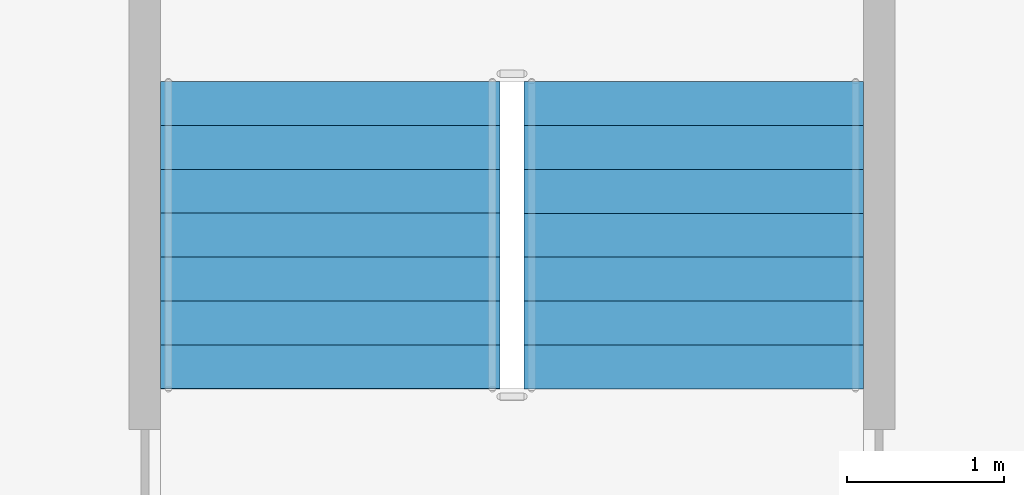
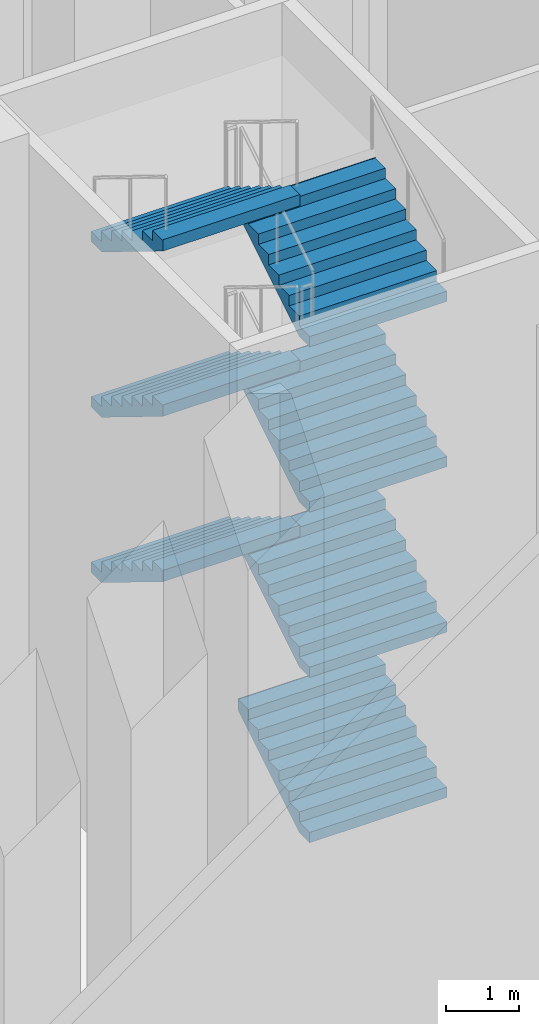
# One storey, part 16 of 31: 7 stair flights, 1 element without a shape of its own.
"""IFC4 building model written with IfcOpenShell, lengths in metres."""

from ifc_helpers import new_model, si_unit, direction, frame, origin, place, context, subcontext, project, spatial, faceted_brep, source, transform, mapped, material, type_object, element, aggregate, save


model = new_model("IFC4")

# Units and contexts
model_context = context("Model", 3, precision=1e-05, world=origin(), true_north=direction((0.0, 1.0)))
body_context = subcontext(model_context, "Body", "Model", "MODEL_VIEW")
ifc_project = project(units=[si_unit("LENGTHUNIT", "METRE"), si_unit("AREAUNIT", "SQUARE_METRE"), si_unit("VOLUMEUNIT", "CUBIC_METRE"), si_unit("PLANEANGLEUNIT", "RADIAN"), si_unit("MASSUNIT", "GRAM", prefix="KILO")], contexts=[model_context])

# Site, building, storey
site_placement = place(None, origin())
site = spatial("IfcSite", under=ifc_project, at=site_placement, CompositionType="ELEMENT")
building_placement = place(site_placement, origin())
building = spatial("IfcBuilding", under=site, at=building_placement, Name="Calabash Gate Tower", CompositionType="ELEMENT")
storey_placement = place(building_placement, frame((0.0, 0.0, 9.0)))
storey = spatial("IfcBuildingStorey", under=building, at=storey_placement, Name="L01", CompositionType="ELEMENT", Elevation=9.0)

# Stair, stair flights
ifc_material_1 = material(Name="Concrete C40/50", Category="concrete")
stair_type = type_object("IfcStairType", Name="Public stair 64 risers of 171.9 mm", PredefinedType="HALF_TURN_STAIR", material=ifc_material_1)
stair_placement = place(storey_placement, origin())
stair = element("IfcStair", 1, at=stair_placement, inside=storey, type_object=stair_type, Name="L01 Public Stair PS5", PredefinedType="HALF_TURN_STAIR")
ifc_material_2 = material(Name="Concrete C40/50", Category="concrete")
stair_flight_type = type_object("IfcStairFlightType", Name="Exit stair flight SFL", PredefinedType="STRAIGHT", material=ifc_material_2)
shared_shape = source(origin(), body_context, "Body", "Brep", [
    faceted_brep([(-0.0009765625, -1.080078125, 0.0), (0.285888671875, -1.080078125, 0.0), (1.9541015625, -1.080078125, 1.027099609375), (-0.0009765625, 1.080078125, 0.0), (1.9541015625, 1.080078125, 1.027099609375), (0.285888671875, 1.080078125, 0.0), (1.9541015625, -1.080078125, 1.215087890625), (1.952880859375, -1.080078125, 1.215087890625), (1.952880859375, 1.080078125, 1.215087890625), (1.9541015625, 1.080078125, 1.215087890625), (1.952880859375, -1.080078125, 1.203125), (1.952880859375, 1.080078125, 1.203125), (1.674072265625, -1.080078125, 1.203125), (1.674072265625, 1.080078125, 1.203125), (1.674072265625, -1.080078125, 1.03125), (1.674072265625, 1.080078125, 1.03125), (1.39501953125, -1.080078125, 1.03125), (1.39501953125, 1.080078125, 1.03125), (1.39501953125, -1.080078125, 0.859375), (1.39501953125, 1.080078125, 0.859375), (1.115966796875, -1.080078125, 0.859375), (1.115966796875, -1.080078125, 0.6875), (1.115966796875, 1.080078125, 0.6875), (1.115966796875, 1.080078125, 0.859375), (0.8369140625, -1.080078125, 0.6875), (0.8369140625, -1.080078125, 0.515625), (0.8369140625, 1.080078125, 0.515625), (0.8369140625, 1.080078125, 0.6875), (0.55810546875, -1.080078125, 0.515625), (0.55810546875, -1.080078125, 0.34375), (0.55810546875, 1.080078125, 0.34375), (0.55810546875, 1.080078125, 0.515625), (0.279052734375, -1.080078125, 0.34375), (0.279052734375, -1.080078125, 0.171875), (0.279052734375, 1.080078125, 0.171875), (0.279052734375, 1.080078125, 0.34375), (-0.0009765625, -1.080078125, 0.171875), (-0.0009765625, 1.080078125, 0.171875), (0.285888671875, -0.431884765625, 0.0), (1.9541015625, -0.431884765625, 1.027099609375), (0.285888671875, -0.370361328125, 0.0), (1.9541015625, -0.370361328125, 1.027099609375), (0.285888671875, -0.30859375, 0.0), (1.9541015625, -0.30859375, 1.027099609375), (0.285888671875, -0.246826171875, 0.0), (1.9541015625, -0.246826171875, 1.027099609375), (0.285888671875, -0.18505859375, 0.0), (1.9541015625, -0.18505859375, 1.027099609375), (0.285888671875, -0.12353515625, 0.0), (1.9541015625, -0.12353515625, 1.027099609375), (0.285888671875, -0.061767578125, 0.0), (1.9541015625, -0.061767578125, 1.027099609375), (0.285888671875, 0.0, 0.0), (1.9541015625, 0.0, 1.027099609375), (0.285888671875, 0.061767578125, 0.0), (1.9541015625, 0.061767578125, 1.027099609375), (0.285888671875, 0.12353515625, 0.0), (1.9541015625, 0.12353515625, 1.027099609375), (0.285888671875, 0.18505859375, 0.0), (1.9541015625, 0.18505859375, 1.027099609375), (0.285888671875, 0.246826171875, 0.0), (1.9541015625, 0.246826171875, 1.027099609375), (0.285888671875, 0.30859375, 0.0), (1.9541015625, 0.30859375, 1.027099609375), (0.285888671875, 0.370361328125, 0.0), (1.9541015625, 0.370361328125, 1.027099609375), (0.285888671875, 0.431884765625, 0.0), (1.9541015625, 0.431884765625, 1.027099609375), (1.9541015625, -0.431884765625, 1.215087890625), (1.9541015625, -0.370361328125, 1.215087890625), (1.9541015625, -0.30859375, 1.215087890625), (1.9541015625, -0.246826171875, 1.215087890625), (1.9541015625, -0.18505859375, 1.215087890625), (1.9541015625, -0.12353515625, 1.215087890625), (1.9541015625, -0.061767578125, 1.215087890625), (1.9541015625, 0.0, 1.215087890625), (1.9541015625, 0.061767578125, 1.215087890625), (1.9541015625, 0.12353515625, 1.215087890625), (1.9541015625, 0.18505859375, 1.215087890625), (1.9541015625, 0.246826171875, 1.215087890625), (1.9541015625, 0.30859375, 1.215087890625), (1.9541015625, 0.370361328125, 1.215087890625), (1.9541015625, 0.431884765625, 1.215087890625), (1.952880859375, -0.431884765625, 1.215087890625), (1.952880859375, -0.370361328125, 1.215087890625), (1.952880859375, -0.30859375, 1.215087890625), (1.952880859375, -0.246826171875, 1.215087890625), (1.952880859375, -0.18505859375, 1.215087890625), (1.952880859375, -0.12353515625, 1.215087890625), (1.952880859375, -0.061767578125, 1.215087890625), (1.952880859375, 0.0, 1.215087890625), (1.952880859375, 0.061767578125, 1.215087890625), (1.952880859375, 0.12353515625, 1.215087890625), (1.952880859375, 0.18505859375, 1.215087890625), (1.952880859375, 0.246826171875, 1.215087890625), (1.952880859375, 0.30859375, 1.215087890625), (1.952880859375, 0.370361328125, 1.215087890625), (1.952880859375, 0.431884765625, 1.215087890625), (1.952880859375, -0.431884765625, 1.203125), (1.952880859375, -0.370361328125, 1.203125), (1.952880859375, -0.30859375, 1.203125), (1.952880859375, -0.246826171875, 1.203125), (1.952880859375, -0.18505859375, 1.203125), (1.952880859375, -0.12353515625, 1.203125), (1.952880859375, -0.061767578125, 1.203125), (1.952880859375, 0.0, 1.203125), (1.952880859375, 0.061767578125, 1.203125), (1.952880859375, 0.12353515625, 1.203125), (1.952880859375, 0.18505859375, 1.203125), (1.952880859375, 0.246826171875, 1.203125), (1.952880859375, 0.30859375, 1.203125), (1.952880859375, 0.370361328125, 1.203125), (1.952880859375, 0.431884765625, 1.203125), (1.674072265625, -0.431884765625, 1.203125), (1.674072265625, -0.370361328125, 1.203125), (1.674072265625, -0.30859375, 1.203125), (1.674072265625, -0.246826171875, 1.203125), (1.674072265625, -0.18505859375, 1.203125), (1.674072265625, -0.12353515625, 1.203125), (1.674072265625, -0.061767578125, 1.203125), (1.674072265625, 0.0, 1.203125), (1.674072265625, 0.061767578125, 1.203125), (1.674072265625, 0.12353515625, 1.203125), (1.674072265625, 0.18505859375, 1.203125), (1.674072265625, 0.246826171875, 1.203125), (1.674072265625, 0.30859375, 1.203125), (1.674072265625, 0.370361328125, 1.203125), (1.674072265625, 0.431884765625, 1.203125), (1.674072265625, -0.431884765625, 1.03125), (1.674072265625, -0.370361328125, 1.03125), (1.674072265625, -0.30859375, 1.03125), (1.674072265625, -0.246826171875, 1.03125), (1.674072265625, -0.18505859375, 1.03125), (1.674072265625, -0.12353515625, 1.03125), (1.674072265625, -0.061767578125, 1.03125), (1.674072265625, 0.0, 1.03125), (1.674072265625, 0.061767578125, 1.03125), (1.674072265625, 0.12353515625, 1.03125), (1.674072265625, 0.18505859375, 1.03125), (1.674072265625, 0.246826171875, 1.03125), (1.674072265625, 0.30859375, 1.03125), (1.674072265625, 0.370361328125, 1.03125), (1.674072265625, 0.431884765625, 1.03125), (1.39501953125, -0.431884765625, 1.03125), (1.39501953125, -0.370361328125, 1.03125), (1.39501953125, -0.30859375, 1.03125), (1.39501953125, -0.246826171875, 1.03125), (1.39501953125, -0.18505859375, 1.03125), (1.39501953125, -0.12353515625, 1.03125), (1.39501953125, -0.061767578125, 1.03125), (1.39501953125, 0.0, 1.03125), (1.39501953125, 0.061767578125, 1.03125), (1.39501953125, 0.12353515625, 1.03125), (1.39501953125, 0.18505859375, 1.03125), (1.39501953125, 0.246826171875, 1.03125), (1.39501953125, 0.30859375, 1.03125), (1.39501953125, 0.370361328125, 1.03125), (1.39501953125, 0.431884765625, 1.03125), (1.39501953125, -0.431884765625, 0.859375), (1.39501953125, -0.370361328125, 0.859375), (1.39501953125, -0.30859375, 0.859375), (1.39501953125, -0.246826171875, 0.859375), (1.39501953125, -0.18505859375, 0.859375), (1.39501953125, -0.12353515625, 0.859375), (1.39501953125, -0.061767578125, 0.859375), (1.39501953125, 0.0, 0.859375), (1.39501953125, 0.061767578125, 0.859375), (1.39501953125, 0.12353515625, 0.859375), (1.39501953125, 0.18505859375, 0.859375), (1.39501953125, 0.246826171875, 0.859375), (1.39501953125, 0.30859375, 0.859375), (1.39501953125, 0.370361328125, 0.859375), (1.39501953125, 0.431884765625, 0.859375), (1.115966796875, -0.431884765625, 0.859375), (1.115966796875, -0.370361328125, 0.859375), (1.115966796875, -0.30859375, 0.859375), (1.115966796875, -0.246826171875, 0.859375), (1.115966796875, -0.18505859375, 0.859375), (1.115966796875, -0.12353515625, 0.859375), (1.115966796875, -0.061767578125, 0.859375), (1.115966796875, 0.0, 0.859375), (1.115966796875, 0.061767578125, 0.859375), (1.115966796875, 0.12353515625, 0.859375), (1.115966796875, 0.18505859375, 0.859375), (1.115966796875, 0.246826171875, 0.859375), (1.115966796875, 0.30859375, 0.859375), (1.115966796875, 0.370361328125, 0.859375), (1.115966796875, 0.431884765625, 0.859375), (1.115966796875, -0.431884765625, 0.6875), (1.115966796875, -0.370361328125, 0.6875), (1.115966796875, -0.30859375, 0.6875), (1.115966796875, -0.246826171875, 0.6875), (1.115966796875, -0.18505859375, 0.6875), (1.115966796875, -0.12353515625, 0.6875), (1.115966796875, -0.061767578125, 0.6875), (1.115966796875, 0.0, 0.6875), (1.115966796875, 0.061767578125, 0.6875), (1.115966796875, 0.12353515625, 0.6875), (1.115966796875, 0.18505859375, 0.6875), (1.115966796875, 0.246826171875, 0.6875), (1.115966796875, 0.30859375, 0.6875), (1.115966796875, 0.370361328125, 0.6875), (1.115966796875, 0.431884765625, 0.6875), (0.8369140625, -0.431884765625, 0.6875), (0.8369140625, -0.370361328125, 0.6875), (0.8369140625, -0.30859375, 0.6875), (0.8369140625, -0.246826171875, 0.6875), (0.8369140625, -0.18505859375, 0.6875), (0.8369140625, -0.12353515625, 0.6875), (0.8369140625, -0.061767578125, 0.6875), (0.8369140625, 0.0, 0.6875), (0.8369140625, 0.061767578125, 0.6875), (0.8369140625, 0.12353515625, 0.6875), (0.8369140625, 0.18505859375, 0.6875), (0.8369140625, 0.246826171875, 0.6875), (0.8369140625, 0.30859375, 0.6875), (0.8369140625, 0.370361328125, 0.6875), (0.8369140625, 0.431884765625, 0.6875), (0.8369140625, -0.431884765625, 0.515625), (0.8369140625, -0.370361328125, 0.515625), (0.8369140625, -0.30859375, 0.515625), (0.8369140625, -0.246826171875, 0.515625), (0.8369140625, -0.18505859375, 0.515625), (0.8369140625, -0.12353515625, 0.515625), (0.8369140625, -0.061767578125, 0.515625), (0.8369140625, 0.0, 0.515625), (0.8369140625, 0.061767578125, 0.515625), (0.8369140625, 0.12353515625, 0.515625), (0.8369140625, 0.18505859375, 0.515625), (0.8369140625, 0.246826171875, 0.515625), (0.8369140625, 0.30859375, 0.515625), (0.8369140625, 0.370361328125, 0.515625), (0.8369140625, 0.431884765625, 0.515625), (0.55810546875, -0.431884765625, 0.515625), (0.55810546875, -0.370361328125, 0.515625), (0.55810546875, -0.30859375, 0.515625), (0.55810546875, -0.246826171875, 0.515625), (0.55810546875, -0.18505859375, 0.515625), (0.55810546875, -0.12353515625, 0.515625), (0.55810546875, -0.061767578125, 0.515625), (0.55810546875, 0.0, 0.515625), (0.55810546875, 0.061767578125, 0.515625), (0.55810546875, 0.12353515625, 0.515625), (0.55810546875, 0.18505859375, 0.515625), (0.55810546875, 0.246826171875, 0.515625), (0.55810546875, 0.30859375, 0.515625), (0.55810546875, 0.370361328125, 0.515625), (0.55810546875, 0.431884765625, 0.515625), (0.55810546875, -0.431884765625, 0.34375), (0.55810546875, -0.370361328125, 0.34375), (0.55810546875, -0.30859375, 0.34375), (0.55810546875, -0.246826171875, 0.34375), (0.55810546875, -0.18505859375, 0.34375), (0.55810546875, -0.12353515625, 0.34375), (0.55810546875, -0.061767578125, 0.34375), (0.55810546875, 0.0, 0.34375), (0.55810546875, 0.061767578125, 0.34375), (0.55810546875, 0.12353515625, 0.34375), (0.55810546875, 0.18505859375, 0.34375), (0.55810546875, 0.246826171875, 0.34375), (0.55810546875, 0.30859375, 0.34375), (0.55810546875, 0.370361328125, 0.34375), (0.55810546875, 0.431884765625, 0.34375), (0.279052734375, -0.431884765625, 0.34375), (0.279052734375, -0.370361328125, 0.34375), (0.279052734375, -0.30859375, 0.34375), (0.279052734375, -0.246826171875, 0.34375), (0.279052734375, -0.18505859375, 0.34375), (0.279052734375, -0.12353515625, 0.34375), (0.279052734375, -0.061767578125, 0.34375), (0.279052734375, 0.0, 0.34375), (0.279052734375, 0.061767578125, 0.34375), (0.279052734375, 0.12353515625, 0.34375), (0.279052734375, 0.18505859375, 0.34375), (0.279052734375, 0.246826171875, 0.34375), (0.279052734375, 0.30859375, 0.34375), (0.279052734375, 0.370361328125, 0.34375), (0.279052734375, 0.431884765625, 0.34375), (0.279052734375, -0.431884765625, 0.171875), (0.279052734375, -0.370361328125, 0.171875), (0.279052734375, -0.30859375, 0.171875), (0.279052734375, -0.246826171875, 0.171875), (0.279052734375, -0.18505859375, 0.171875), (0.279052734375, -0.12353515625, 0.171875), (0.279052734375, -0.061767578125, 0.171875), (0.279052734375, 0.0, 0.171875), (0.279052734375, 0.061767578125, 0.171875), (0.279052734375, 0.12353515625, 0.171875), (0.279052734375, 0.18505859375, 0.171875), (0.279052734375, 0.246826171875, 0.171875), (0.279052734375, 0.30859375, 0.171875), (0.279052734375, 0.370361328125, 0.171875), (0.279052734375, 0.431884765625, 0.171875), (-0.0009765625, -0.431884765625, 0.171875), (-0.0009765625, -0.370361328125, 0.171875), (-0.0009765625, -0.30859375, 0.171875), (-0.0009765625, -0.246826171875, 0.171875), (-0.0009765625, -0.18505859375, 0.171875), (-0.0009765625, -0.12353515625, 0.171875), (-0.0009765625, -0.061767578125, 0.171875), (-0.0009765625, 0.0, 0.171875), (-0.0009765625, 0.061767578125, 0.171875), (-0.0009765625, 0.12353515625, 0.171875), (-0.0009765625, 0.18505859375, 0.171875), (-0.0009765625, 0.246826171875, 0.171875), (-0.0009765625, 0.30859375, 0.171875), (-0.0009765625, 0.370361328125, 0.171875), (-0.0009765625, 0.431884765625, 0.171875), (-0.0009765625, -0.431884765625, 0.0), (-0.0009765625, -0.370361328125, 0.0), (-0.0009765625, -0.30859375, 0.0), (-0.0009765625, -0.246826171875, 0.0), (-0.0009765625, -0.18505859375, 0.0), (-0.0009765625, -0.12353515625, 0.0), (-0.0009765625, -0.061767578125, 0.0), (-0.0009765625, 0.0, 0.0), (-0.0009765625, 0.061767578125, 0.0), (-0.0009765625, 0.12353515625, 0.0), (-0.0009765625, 0.18505859375, 0.0), (-0.0009765625, 0.246826171875, 0.0), (-0.0009765625, 0.30859375, 0.0), (-0.0009765625, 0.370361328125, 0.0), (-0.0009765625, 0.431884765625, 0.0)], [[[0, 1, 2]], [[3, 4, 5]], [[2, 6, 7]], [[4, 8, 9]], [[2, 7, 10]], [[4, 11, 8]], [[2, 10, 12]], [[4, 13, 11]], [[2, 12, 14]], [[4, 15, 13]], [[2, 14, 16]], [[4, 17, 15]], [[2, 16, 18]], [[4, 19, 17]], [[18, 20, 21]], [[19, 22, 23]], [[2, 18, 21]], [[4, 22, 19]], [[21, 24, 25]], [[22, 26, 27]], [[2, 21, 25]], [[4, 26, 22]], [[25, 28, 29]], [[26, 30, 31]], [[2, 25, 29]], [[4, 30, 26]], [[29, 32, 33]], [[30, 34, 35]], [[2, 29, 33]], [[4, 34, 30]], [[0, 2, 33]], [[3, 34, 4]], [[33, 36, 0]], [[34, 3, 37]], [[1, 38, 2]], [[38, 39, 2]], [[38, 40, 39]], [[40, 41, 39]], [[40, 42, 41]], [[42, 43, 41]], [[42, 44, 43]], [[44, 45, 43]], [[44, 46, 45]], [[46, 47, 45]], [[46, 48, 47]], [[48, 49, 47]], [[48, 50, 49]], [[50, 51, 49]], [[50, 52, 51]], [[52, 53, 51]], [[52, 54, 55]], [[52, 55, 53]], [[54, 56, 57]], [[54, 57, 55]], [[56, 58, 59]], [[56, 59, 57]], [[58, 60, 61]], [[58, 61, 59]], [[60, 62, 63]], [[60, 63, 61]], [[62, 64, 65]], [[62, 65, 63]], [[64, 66, 67]], [[64, 67, 65]], [[66, 5, 4]], [[66, 4, 67]], [[2, 39, 6]], [[39, 68, 6]], [[39, 41, 68]], [[41, 69, 68]], [[41, 43, 69]], [[43, 70, 69]], [[43, 45, 70]], [[45, 71, 70]], [[45, 47, 71]], [[47, 72, 71]], [[47, 49, 72]], [[49, 73, 72]], [[49, 51, 73]], [[51, 74, 73]], [[51, 53, 74]], [[53, 75, 74]], [[53, 55, 76]], [[53, 76, 75]], [[55, 57, 77]], [[55, 77, 76]], [[57, 59, 78]], [[57, 78, 77]], [[59, 61, 79]], [[59, 79, 78]], [[61, 63, 80]], [[61, 80, 79]], [[63, 65, 81]], [[63, 81, 80]], [[65, 67, 82]], [[65, 82, 81]], [[67, 4, 9]], [[67, 9, 82]], [[6, 68, 7]], [[68, 83, 7]], [[68, 69, 83]], [[69, 84, 83]], [[69, 70, 84]], [[70, 85, 84]], [[70, 71, 85]], [[71, 86, 85]], [[71, 72, 86]], [[72, 87, 86]], [[72, 73, 87]], [[73, 88, 87]], [[73, 74, 88]], [[74, 89, 88]], [[74, 75, 89]], [[75, 90, 89]], [[75, 76, 91]], [[75, 91, 90]], [[76, 77, 92]], [[76, 92, 91]], [[77, 78, 93]], [[77, 93, 92]], [[78, 79, 94]], [[78, 94, 93]], [[79, 80, 95]], [[79, 95, 94]], [[80, 81, 96]], [[80, 96, 95]], [[81, 82, 97]], [[81, 97, 96]], [[82, 9, 8]], [[82, 8, 97]], [[7, 83, 10]], [[83, 98, 10]], [[83, 84, 98]], [[84, 99, 98]], [[84, 85, 99]], [[85, 100, 99]], [[85, 86, 100]], [[86, 101, 100]], [[86, 87, 101]], [[87, 102, 101]], [[87, 88, 102]], [[88, 103, 102]], [[88, 89, 103]], [[89, 104, 103]], [[89, 90, 104]], [[90, 105, 104]], [[90, 91, 106]], [[90, 106, 105]], [[91, 92, 107]], [[91, 107, 106]], [[92, 93, 108]], [[92, 108, 107]], [[93, 94, 109]], [[93, 109, 108]], [[94, 95, 110]], [[94, 110, 109]], [[95, 96, 111]], [[95, 111, 110]], [[96, 97, 112]], [[96, 112, 111]], [[97, 8, 11]], [[97, 11, 112]], [[10, 98, 12]], [[98, 113, 12]], [[98, 99, 113]], [[99, 114, 113]], [[99, 100, 114]], [[100, 115, 114]], [[100, 101, 115]], [[101, 116, 115]], [[101, 102, 116]], [[102, 117, 116]], [[102, 103, 117]], [[103, 118, 117]], [[103, 104, 118]], [[104, 119, 118]], [[104, 105, 119]], [[105, 120, 119]], [[105, 106, 121]], [[105, 121, 120]], [[106, 107, 122]], [[106, 122, 121]], [[107, 108, 123]], [[107, 123, 122]], [[108, 109, 124]], [[108, 124, 123]], [[109, 110, 125]], [[109, 125, 124]], [[110, 111, 126]], [[110, 126, 125]], [[111, 112, 127]], [[111, 127, 126]], [[112, 11, 13]], [[112, 13, 127]], [[12, 113, 14]], [[113, 128, 14]], [[113, 114, 128]], [[114, 129, 128]], [[114, 115, 129]], [[115, 130, 129]], [[115, 116, 130]], [[116, 131, 130]], [[116, 117, 131]], [[117, 132, 131]], [[117, 118, 132]], [[118, 133, 132]], [[118, 119, 133]], [[119, 134, 133]], [[119, 120, 134]], [[120, 135, 134]], [[120, 121, 136]], [[120, 136, 135]], [[121, 122, 137]], [[121, 137, 136]], [[122, 123, 138]], [[122, 138, 137]], [[123, 124, 139]], [[123, 139, 138]], [[124, 125, 140]], [[124, 140, 139]], [[125, 126, 141]], [[125, 141, 140]], [[126, 127, 142]], [[126, 142, 141]], [[127, 13, 15]], [[127, 15, 142]], [[14, 128, 16]], [[128, 143, 16]], [[128, 129, 143]], [[129, 144, 143]], [[129, 130, 144]], [[130, 145, 144]], [[130, 131, 145]], [[131, 146, 145]], [[131, 132, 146]], [[132, 147, 146]], [[132, 133, 147]], [[133, 148, 147]], [[133, 134, 148]], [[134, 149, 148]], [[134, 135, 149]], [[135, 150, 149]], [[135, 136, 151]], [[135, 151, 150]], [[136, 137, 152]], [[136, 152, 151]], [[137, 138, 153]], [[137, 153, 152]], [[138, 139, 154]], [[138, 154, 153]], [[139, 140, 155]], [[139, 155, 154]], [[140, 141, 156]], [[140, 156, 155]], [[141, 142, 157]], [[141, 157, 156]], [[142, 15, 17]], [[142, 17, 157]], [[16, 143, 18]], [[143, 158, 18]], [[143, 144, 158]], [[144, 159, 158]], [[144, 145, 159]], [[145, 160, 159]], [[145, 146, 160]], [[146, 161, 160]], [[146, 147, 161]], [[147, 162, 161]], [[147, 148, 162]], [[148, 163, 162]], [[148, 149, 163]], [[149, 164, 163]], [[149, 150, 164]], [[150, 165, 164]], [[150, 151, 166]], [[150, 166, 165]], [[151, 152, 167]], [[151, 167, 166]], [[152, 153, 168]], [[152, 168, 167]], [[153, 154, 169]], [[153, 169, 168]], [[154, 155, 170]], [[154, 170, 169]], [[155, 156, 171]], [[155, 171, 170]], [[156, 157, 172]], [[156, 172, 171]], [[157, 17, 19]], [[157, 19, 172]], [[18, 158, 20]], [[158, 173, 20]], [[158, 159, 173]], [[159, 174, 173]], [[159, 160, 174]], [[160, 175, 174]], [[160, 161, 175]], [[161, 176, 175]], [[161, 162, 176]], [[162, 177, 176]], [[162, 163, 177]], [[163, 178, 177]], [[163, 164, 178]], [[164, 179, 178]], [[164, 165, 179]], [[165, 180, 179]], [[165, 166, 181]], [[165, 181, 180]], [[166, 167, 182]], [[166, 182, 181]], [[167, 168, 183]], [[167, 183, 182]], [[168, 169, 184]], [[168, 184, 183]], [[169, 170, 185]], [[169, 185, 184]], [[170, 171, 186]], [[170, 186, 185]], [[171, 172, 187]], [[171, 187, 186]], [[172, 19, 23]], [[172, 23, 187]], [[20, 173, 21]], [[173, 188, 21]], [[173, 174, 188]], [[174, 189, 188]], [[174, 175, 189]], [[175, 190, 189]], [[175, 176, 190]], [[176, 191, 190]], [[176, 177, 191]], [[177, 192, 191]], [[177, 178, 192]], [[178, 193, 192]], [[178, 179, 193]], [[179, 194, 193]], [[179, 180, 194]], [[180, 195, 194]], [[180, 181, 196]], [[180, 196, 195]], [[181, 182, 197]], [[181, 197, 196]], [[182, 183, 198]], [[182, 198, 197]], [[183, 184, 199]], [[183, 199, 198]], [[184, 185, 200]], [[184, 200, 199]], [[185, 186, 201]], [[185, 201, 200]], [[186, 187, 202]], [[186, 202, 201]], [[187, 23, 22]], [[187, 22, 202]], [[21, 188, 24]], [[188, 203, 24]], [[188, 189, 203]], [[189, 204, 203]], [[189, 190, 204]], [[190, 205, 204]], [[190, 191, 205]], [[191, 206, 205]], [[191, 192, 206]], [[192, 207, 206]], [[192, 193, 207]], [[193, 208, 207]], [[193, 194, 208]], [[194, 209, 208]], [[194, 195, 209]], [[195, 210, 209]], [[195, 196, 211]], [[195, 211, 210]], [[196, 197, 212]], [[196, 212, 211]], [[197, 198, 213]], [[197, 213, 212]], [[198, 199, 214]], [[198, 214, 213]], [[199, 200, 215]], [[199, 215, 214]], [[200, 201, 216]], [[200, 216, 215]], [[201, 202, 217]], [[201, 217, 216]], [[202, 22, 27]], [[202, 27, 217]], [[24, 203, 25]], [[203, 218, 25]], [[203, 204, 218]], [[204, 219, 218]], [[204, 205, 219]], [[205, 220, 219]], [[205, 206, 220]], [[206, 221, 220]], [[206, 207, 221]], [[207, 222, 221]], [[207, 208, 222]], [[208, 223, 222]], [[208, 209, 223]], [[209, 224, 223]], [[209, 210, 224]], [[210, 225, 224]], [[210, 211, 226]], [[210, 226, 225]], [[211, 212, 227]], [[211, 227, 226]], [[212, 213, 228]], [[212, 228, 227]], [[213, 214, 229]], [[213, 229, 228]], [[214, 215, 230]], [[214, 230, 229]], [[215, 216, 231]], [[215, 231, 230]], [[216, 217, 232]], [[216, 232, 231]], [[217, 27, 26]], [[217, 26, 232]], [[25, 218, 28]], [[218, 233, 28]], [[218, 219, 233]], [[219, 234, 233]], [[219, 220, 234]], [[220, 235, 234]], [[220, 221, 235]], [[221, 236, 235]], [[221, 222, 236]], [[222, 237, 236]], [[222, 223, 237]], [[223, 238, 237]], [[223, 224, 238]], [[224, 239, 238]], [[224, 225, 239]], [[225, 240, 239]], [[225, 226, 241]], [[225, 241, 240]], [[226, 227, 242]], [[226, 242, 241]], [[227, 228, 243]], [[227, 243, 242]], [[228, 229, 244]], [[228, 244, 243]], [[229, 230, 245]], [[229, 245, 244]], [[230, 231, 246]], [[230, 246, 245]], [[231, 232, 247]], [[231, 247, 246]], [[232, 26, 31]], [[232, 31, 247]], [[28, 233, 29]], [[233, 248, 29]], [[233, 234, 248]], [[234, 249, 248]], [[234, 235, 249]], [[235, 250, 249]], [[235, 236, 250]], [[236, 251, 250]], [[236, 237, 251]], [[237, 252, 251]], [[237, 238, 252]], [[238, 253, 252]], [[238, 239, 253]], [[239, 254, 253]], [[239, 240, 254]], [[240, 255, 254]], [[240, 241, 256]], [[240, 256, 255]], [[241, 242, 257]], [[241, 257, 256]], [[242, 243, 258]], [[242, 258, 257]], [[243, 244, 259]], [[243, 259, 258]], [[244, 245, 260]], [[244, 260, 259]], [[245, 246, 261]], [[245, 261, 260]], [[246, 247, 262]], [[246, 262, 261]], [[247, 31, 30]], [[247, 30, 262]], [[29, 248, 32]], [[248, 263, 32]], [[248, 249, 263]], [[249, 264, 263]], [[249, 250, 264]], [[250, 265, 264]], [[250, 251, 265]], [[251, 266, 265]], [[251, 252, 266]], [[252, 267, 266]], [[252, 253, 267]], [[253, 268, 267]], [[253, 254, 268]], [[254, 269, 268]], [[254, 255, 269]], [[255, 270, 269]], [[255, 256, 271]], [[255, 271, 270]], [[256, 257, 272]], [[256, 272, 271]], [[257, 258, 273]], [[257, 273, 272]], [[258, 259, 274]], [[258, 274, 273]], [[259, 260, 275]], [[259, 275, 274]], [[260, 261, 276]], [[260, 276, 275]], [[261, 262, 277]], [[261, 277, 276]], [[262, 30, 35]], [[262, 35, 277]], [[32, 263, 33]], [[263, 278, 33]], [[263, 264, 278]], [[264, 279, 278]], [[264, 265, 279]], [[265, 280, 279]], [[265, 266, 280]], [[266, 281, 280]], [[266, 267, 281]], [[267, 282, 281]], [[267, 268, 282]], [[268, 283, 282]], [[268, 269, 283]], [[269, 284, 283]], [[269, 270, 284]], [[270, 285, 284]], [[270, 271, 286]], [[270, 286, 285]], [[271, 272, 287]], [[271, 287, 286]], [[272, 273, 288]], [[272, 288, 287]], [[273, 274, 289]], [[273, 289, 288]], [[274, 275, 290]], [[274, 290, 289]], [[275, 276, 291]], [[275, 291, 290]], [[276, 277, 292]], [[276, 292, 291]], [[277, 35, 34]], [[277, 34, 292]], [[33, 278, 36]], [[278, 293, 36]], [[278, 279, 293]], [[279, 294, 293]], [[279, 280, 294]], [[280, 295, 294]], [[280, 281, 295]], [[281, 296, 295]], [[281, 282, 296]], [[282, 297, 296]], [[282, 283, 297]], [[283, 298, 297]], [[283, 284, 298]], [[284, 299, 298]], [[284, 285, 299]], [[285, 300, 299]], [[285, 286, 301]], [[285, 301, 300]], [[286, 287, 302]], [[286, 302, 301]], [[287, 288, 303]], [[287, 303, 302]], [[288, 289, 304]], [[288, 304, 303]], [[289, 290, 305]], [[289, 305, 304]], [[290, 291, 306]], [[290, 306, 305]], [[291, 292, 307]], [[291, 307, 306]], [[292, 34, 37]], [[292, 37, 307]], [[36, 293, 0]], [[293, 308, 0]], [[293, 294, 308]], [[294, 309, 308]], [[294, 295, 309]], [[295, 310, 309]], [[295, 296, 310]], [[296, 311, 310]], [[296, 297, 311]], [[297, 312, 311]], [[297, 298, 312]], [[298, 313, 312]], [[298, 299, 313]], [[299, 314, 313]], [[299, 300, 314]], [[300, 315, 314]], [[300, 301, 316]], [[300, 316, 315]], [[301, 302, 317]], [[301, 317, 316]], [[302, 303, 318]], [[302, 318, 317]], [[303, 304, 319]], [[303, 319, 318]], [[304, 305, 320]], [[304, 320, 319]], [[305, 306, 321]], [[305, 321, 320]], [[306, 307, 322]], [[306, 322, 321]], [[307, 37, 3]], [[307, 3, 322]], [[0, 308, 1]], [[308, 38, 1]], [[308, 309, 38]], [[309, 40, 38]], [[309, 310, 40]], [[310, 42, 40]], [[310, 311, 42]], [[311, 44, 42]], [[311, 312, 44]], [[312, 46, 44]], [[312, 313, 46]], [[313, 48, 46]], [[313, 314, 48]], [[314, 50, 48]], [[314, 315, 50]], [[315, 52, 50]], [[315, 316, 54]], [[315, 54, 52]], [[316, 317, 56]], [[316, 56, 54]], [[317, 318, 58]], [[317, 58, 56]], [[318, 319, 60]], [[318, 60, 58]], [[319, 320, 62]], [[319, 62, 60]], [[320, 321, 64]], [[320, 64, 62]], [[321, 322, 66]], [[321, 66, 64]], [[322, 3, 5]], [[322, 5, 66]]]),
])
stair_flight_1_placement = place(storey_placement, frame((-34.780029296875, 16.159912109375, 0.0), z_axis=(0.0, 0.0, 1.0), x_axis=(0.0, 1.0, 0.0)))
stair_flight_1 = element("IfcStairFlight", 2, at=stair_flight_1_placement, type_object=stair_flight_type, Name="PS5 flight 1", NumberOfRisers=8, NumberOfTreads=7, PredefinedType="STRAIGHT", RiserHeight=0.171875, TreadLength=0.279, context=body_context, shape_type="MappedRepresentation", body=[
    mapped(shared_shape, transform((0.0, 0.0, 0.0), scale=1.0)),
])
stair_flight_2_placement = place(storey_placement, frame((-34.780029296875, 16.159912109375, 2.75), z_axis=(0.0, 0.0, 1.0), x_axis=(0.0, 1.0, 0.0)))
stair_flight_2 = element("IfcStairFlight", 3, at=stair_flight_2_placement, type_object=stair_flight_type, Name="PS5 flight 3", NumberOfRisers=8, NumberOfTreads=7, PredefinedType="STRAIGHT", RiserHeight=0.171875, TreadLength=0.279, context=body_context, shape_type="MappedRepresentation", body=[
    mapped(shared_shape, transform((0.0, 0.0, 0.0), scale=1.0)),
])
stair_flight_3_placement = place(storey_placement, frame((-37.090087890625, 18.113037109375, 4.125), z_axis=(0.0, 0.0, 1.0), x_axis=(0.0, -1.0, 0.0)))
stair_flight_3 = element("IfcStairFlight", 4, at=stair_flight_3_placement, type_object=stair_flight_type, Name="PS5 flight 4", NumberOfRisers=8, NumberOfTreads=7, PredefinedType="STRAIGHT", RiserHeight=0.171875, TreadLength=0.279, context=body_context, shape_type="MappedRepresentation", body=[
    mapped(shared_shape, transform((0.0, 0.0, 0.0), scale=1.0)),
])
stair_flight_4_placement = place(storey_placement, frame((-34.780029296875, 16.159912109375, 5.5), z_axis=(0.0, 0.0, 1.0), x_axis=(0.0, 1.0, 0.0)))
stair_flight_4 = element("IfcStairFlight", 5, at=stair_flight_4_placement, type_object=stair_flight_type, Name="PS5 flight 5", NumberOfRisers=8, NumberOfTreads=7, PredefinedType="STRAIGHT", RiserHeight=0.171875, TreadLength=0.279, context=body_context, shape_type="MappedRepresentation", body=[
    mapped(shared_shape, transform((0.0, 0.0, 0.0), scale=1.0)),
])
stair_flight_5_placement = place(storey_placement, frame((-37.090087890625, 18.113037109375, 6.875), z_axis=(0.0, 0.0, 1.0), x_axis=(0.0, -1.0, 0.0)))
stair_flight_5 = element("IfcStairFlight", 6, at=stair_flight_5_placement, type_object=stair_flight_type, Name="PS5 flight 6", NumberOfRisers=8, NumberOfTreads=7, PredefinedType="STRAIGHT", RiserHeight=0.171875, TreadLength=0.279, context=body_context, shape_type="MappedRepresentation", body=[
    mapped(shared_shape, transform((0.0, 0.0, 0.0), scale=1.0)),
])
stair_flight_6_placement = place(storey_placement, frame((-34.780029296875, 16.159912109375, 8.25), z_axis=(0.0, 0.0, 1.0), x_axis=(0.0, 1.0, 0.0)))
stair_flight_6 = element("IfcStairFlight", 7, at=stair_flight_6_placement, type_object=stair_flight_type, Name="PS5 flight 7", NumberOfRisers=8, NumberOfTreads=7, PredefinedType="STRAIGHT", RiserHeight=0.171875, TreadLength=0.279, context=body_context, shape_type="MappedRepresentation", body=[
    mapped(shared_shape, transform((0.0, 0.0, 0.0), scale=1.0)),
])
stair_flight_7_placement = place(storey_placement, frame((-37.090087890625, 18.113037109375, 9.625), z_axis=(0.0, 0.0, 1.0), x_axis=(0.0, -1.0, 0.0)))
stair_flight_7 = element("IfcStairFlight", 8, at=stair_flight_7_placement, type_object=stair_flight_type, Name="PS5 flight 8", NumberOfRisers=8, NumberOfTreads=7, PredefinedType="STRAIGHT", RiserHeight=0.171875, TreadLength=0.279, context=body_context, shape_type="MappedRepresentation", body=[
    mapped(shared_shape, transform((0.0, 0.0, 0.0), scale=1.0)),
])
aggregate(stair, [stair_flight_1, stair_flight_2, stair_flight_3, stair_flight_4, stair_flight_5, stair_flight_6, stair_flight_7])

save(model, "model.ifc")
